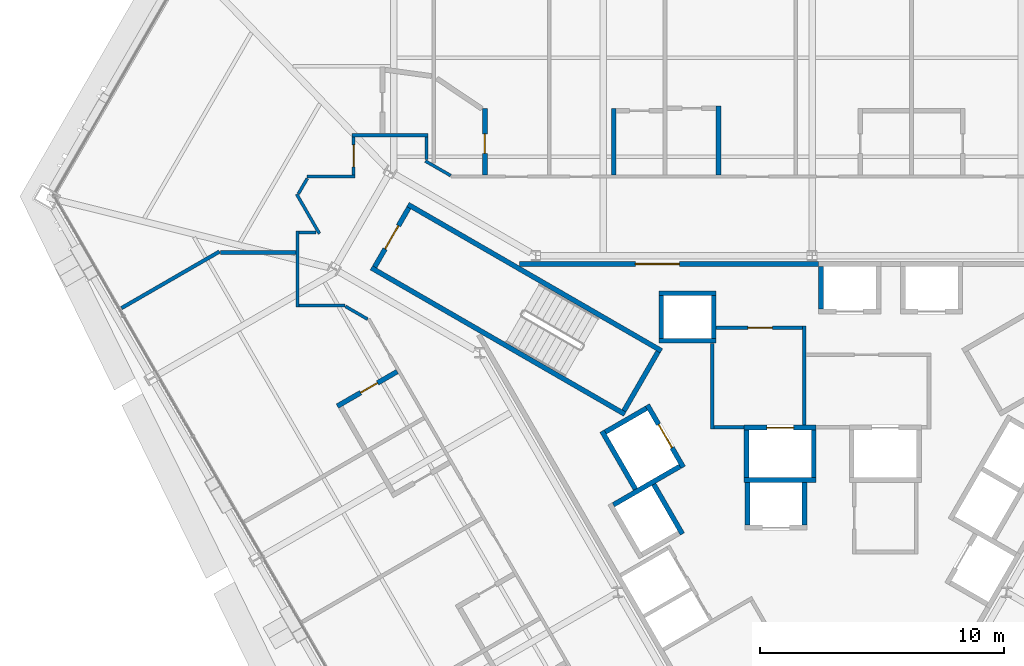
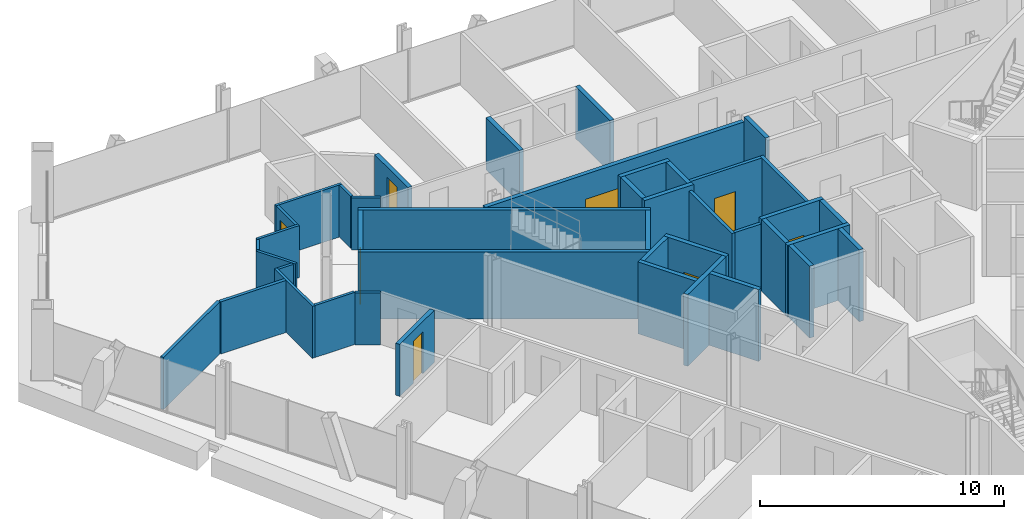
# One storey, part 15 of 20: 42 walls, 8 doors, 8 openings.
"""IFC4 building model written with IfcOpenShell, lengths in metres."""

from ifc_helpers import new_model, si_unit, direction, frame, frame_2d, origin, place, context, subcontext, project, spatial, rectangle, extrude, material, layer, layer_set, type_object, element, fill, save


model = new_model("IFC4")

# Units and contexts
model_context = context("Model", 3, precision=1e-05, world=origin(), true_north=direction((0.0, 1.0)))
body_context = subcontext(model_context, "Body", "Model", "MODEL_VIEW")
ifc_project = project(units=[si_unit("LENGTHUNIT", "METRE"), si_unit("AREAUNIT", "SQUARE_METRE"), si_unit("VOLUMEUNIT", "CUBIC_METRE"), si_unit("PLANEANGLEUNIT", "RADIAN"), si_unit("MASSUNIT", "GRAM", prefix="KILO")], contexts=[model_context])

# Site, building, storey
site_placement = place(None, origin())
site = spatial("IfcSite", under=ifc_project, at=site_placement, CompositionType="ELEMENT")
building_placement = place(site_placement, origin())
building = spatial("IfcBuilding", under=site, at=building_placement, Name="Verrane Prism Tower", CompositionType="ELEMENT")
storey_placement = place(building_placement, frame((0.0, 0.0, 69.199951171875)))
storey = spatial("IfcBuildingStorey", under=building, at=storey_placement, Name="L15", CompositionType="ELEMENT", Elevation=69.199951171875)

# Wall, opening, door
ifc_material_1 = material(Name="Gypsum board partition", Category="other")
ifc_layer_1 = layer(ifc_material_1, 0.199951171875)
ifc_layer_set_1 = layer_set([ifc_layer_1], Name="CW-200 core boundary wall 2 h")
wall_type_1 = type_object("IfcWallType", Name="CW-200 core boundary wall 2 h", PredefinedType="PARTITIONING", material=ifc_layer_set_1)
wall_1_placement = place(storey_placement, frame((0.262939453125, 8.860107421875, 0.0), z_axis=(0.0, 0.0, 1.0), x_axis=(-1.0, 0.0, 0.0)))
wall_1 = element("IfcWall", 1, at=wall_1_placement, inside=storey, type_object=wall_type_1, Name="Core boundary wall CW3-002", PredefinedType="PARTITIONING", context=body_context, shape_type="SweptSolid", body=[
    extrude(rectangle(XDim=12.25390625, YDim=0.199951171875, at=frame_2d((6.126953125, 0.0))), origin(), (0.0, 0.0, 1.0), 3.35009765625),
])
opening_1_placement = place(wall_1_placement, frame((5.708984375, 0.0, 0.0)))
opening_1 = element("IfcOpeningElement", 2, at=opening_1_placement, cuts=wall_1, Name="Opening D14511", PredefinedType="OPENING", context=body_context, shape_type="SweptSolid", body=[
    extrude(rectangle(XDim=1.800048828125, YDim=2.10009765625, at=frame_2d((0.89990234375, 1.050048828125))), frame((0.0, 0.10986328125, 0.0), z_axis=(0.0, -1.0, 0.0), x_axis=(1.0, 0.0, 0.0)), (0.0, 0.0, 1.0), 0.219970703125),
])
ifc_material_2 = material(Name="Timber veneered door leaf", Category="wood")
door_type_1 = type_object("IfcDoorType", Name="DR-1800x2100 FD60 double leaf lift lobby", OperationType="NOTDEFINED", PredefinedType="DOOR", material=ifc_material_2)
door_1_placement = place(opening_1_placement, origin())
door_1 = element("IfcDoor", 3, at=door_1_placement, inside=storey, type_object=door_type_1, Name="Lift lobby door D14511", OperationType="DOUBLE_DOOR_SINGLE_SWING", OverallHeight=2.10009765625, OverallWidth=1.800048828125, PredefinedType="DOOR", context=body_context, shape_type="SweptSolid", body=[
    extrude(rectangle(XDim=1.800048828125, YDim=2.10009765625, at=frame_2d((0.89990234375, 1.050048828125))), frame((0.0, 0.02490234375, 0.0), z_axis=(0.0, -1.0, 0.0), x_axis=(1.0, 0.0, 0.0)), (0.0, 0.0, 1.0), 0.050048828125),
])
fill(opening_1, door_1)

ifc_material_3 = material(Name="Concrete C40/50", Category="concrete")
ifc_layer_2 = layer(ifc_material_3, 0.199951171875)
ifc_layer_set_2 = layer_set([ifc_layer_2], Name="CW-200 stair core wall concrete C40/50 3 h")
wall_type_2 = type_object("IfcWallType", Name="CW-200 stair core wall concrete C40/50 3 h", PredefinedType="PARTITIONING", material=ifc_layer_set_2)
wall_2_placement = place(storey_placement, frame((-16.533935546875, 11.162353515625, 0.0), z_axis=(0.0, 0.0, 1.0), x_axis=(-0.49998411664, -0.866034573852, 0.0)))
wall_2 = element("IfcWall", 4, at=wall_2_placement, inside=storey, type_object=wall_type_2, Name="Stair 2 enclosure wall", PredefinedType="PARTITIONING", context=body_context, shape_type="SweptSolid", body=[
    extrude(rectangle(XDim=2.7998046875, YDim=0.199951171875, at=frame_2d((1.39990234375, 0.0))), origin(), (0.0, 0.0, 1.0), 3.35009765625),
])
opening_2_placement = place(wall_2_placement, frame((0.849853515625, 0.0, 0.0)))
opening_2 = element("IfcOpeningElement", 5, at=opening_2_placement, cuts=wall_2, Name="Opening D14501", PredefinedType="OPENING", context=body_context, shape_type="SweptSolid", body=[
    extrude(rectangle(XDim=1.10009765625, YDim=2.10009765625, at=frame_2d((0.550048828125, 1.050048828125))), frame((0.0, 0.10986328125, 0.0), z_axis=(0.0, -1.0, 0.0), x_axis=(1.0, 0.0, 0.0)), (0.0, 0.0, 1.0), 0.219970703125),
])
ifc_material_4 = material(Name="Timber veneered door leaf", Category="wood")
door_type_2 = type_object("IfcDoorType", Name="DR-1100x2100 FD90 single leaf stair", OperationType="NOTDEFINED", PredefinedType="DOOR", material=ifc_material_4)
door_2_placement = place(opening_2_placement, origin())
door_2 = element("IfcDoor", 6, at=door_2_placement, inside=storey, type_object=door_type_2, Name="Stair 2 door", OperationType="SINGLE_SWING_RIGHT", OverallHeight=2.10009765625, OverallWidth=1.10009765625, PredefinedType="DOOR", context=body_context, shape_type="SweptSolid", body=[
    extrude(rectangle(XDim=1.10009765625, YDim=2.10009765625, at=frame_2d((0.550048828125, 1.050048828125))), frame((0.0, 0.02490234375, 0.0), z_axis=(0.0, -1.0, 0.0), x_axis=(1.0, 0.0, 0.0)), (0.0, 0.0, 1.0), 0.050048828125),
])
fill(opening_2, door_2)

# Walls
for number, where, z_axis, x_axis, name in (
    (7, (-7.67822265625, 2.700927734375, 0.0), (0.0, 0.0, 1.0), (-0.866026010844, 0.49999894854, 0.0), "Stair 2 enclosure wall"),
    (8, (-6.17822265625, 5.299072265625, 0.0), (0.0, 0.0, 1.0), (-0.866026010844, 0.49999894854, 0.0), "Stair 2 enclosure wall"),
):
    element("IfcWall", number, at=place(storey_placement, frame(where, z_axis=z_axis, x_axis=x_axis)), inside=storey, type_object=wall_type_2, Name=name, PredefinedType="PARTITIONING", context=body_context, shape_type="SweptSolid", body=[
        extrude(rectangle(XDim=12.0, YDim=0.199951171875, at=frame_2d((6.0, 0.0))), origin(), (0.0, 0.0, 1.0), 3.35009765625),
    ])
wall_3_placement = place(storey_placement, frame((-6.314697265625, 5.262451171875, 0.0), z_axis=(0.0, 0.0, 1.0), x_axis=(-0.500049511043, -0.865996816683, 0.0)))
element("IfcWall", 9, at=wall_3_placement, inside=storey, type_object=wall_type_2, Name="Stair 2 enclosure wall", PredefinedType="PARTITIONING", context=body_context, shape_type="SweptSolid", body=[
    extrude(rectangle(XDim=2.800048828125, YDim=0.199951171875, at=frame_2d((1.39990234375, 0.0))), origin(), (0.0, 0.0, 1.0), 3.35009765625),
])
ifc_material_5 = material(Name="Gypsum board shaft wall assembly", Category="other")
ifc_layer_3 = layer(ifc_material_5, 0.199951171875)
ifc_layer_set_3 = layer_set([ifc_layer_3], Name="HW-200 lift shaft wall 2 h")
wall_type_3 = type_object("IfcWallType", Name="HW-200 lift shaft wall 2 h", PredefinedType="PARTITIONING", material=ifc_layer_set_3)
wall_4_placement = place(storey_placement, frame((-2.784912109375, 0.0, 0.0), z_axis=(0.0, 0.0, 1.0), x_axis=(1.0, 0.0, 0.0)))
element("IfcWall", 10, at=wall_4_placement, inside=storey, type_object=wall_type_3, Name="Lift shaft wall", PredefinedType="PARTITIONING", context=body_context, shape_type="SweptSolid", body=[
    extrude(rectangle(XDim=2.949951171875, YDim=0.199951171875, at=frame_2d((1.47509765625, 0.0))), origin(), (0.0, 0.0, 1.0), 3.60009765625),
])

# Wall, opening, door
wall_5_placement = place(storey_placement, frame((-2.784912109375, 2.14990234375, 0.0), z_axis=(0.0, 0.0, 1.0), x_axis=(1.0, 0.0, 0.0)))
wall_5 = element("IfcWall", 11, at=wall_5_placement, inside=storey, type_object=wall_type_3, Name="Lift shaft wall", PredefinedType="PARTITIONING", context=body_context, shape_type="SweptSolid", body=[
    extrude(rectangle(XDim=2.949951171875, YDim=0.199951171875, at=frame_2d((1.47509765625, 0.0))), origin(), (0.0, 0.0, 1.0), 3.60009765625),
])
opening_3_placement = place(wall_5_placement, frame((0.925048828125, 0.0, 0.0)))
opening_3 = element("IfcOpeningElement", 12, at=opening_3_placement, cuts=wall_5, Name="Opening D14508", PredefinedType="OPENING", context=body_context, shape_type="SweptSolid", body=[
    extrude(rectangle(XDim=1.10009765625, YDim=2.10009765625, at=frame_2d((0.550048828125, 1.050048828125))), frame((0.0, 0.10986328125, 0.0), z_axis=(0.0, -1.0, 0.0), x_axis=(1.0, 0.0, 0.0)), (0.0, 0.0, 1.0), 0.219970703125),
])
ifc_material_6 = material(Name="Stainless steel sliding landing door", Category="steel")
door_type_3 = type_object("IfcDoorType", Name="LD-1100x2100 lift landing door FD90 sliding", OperationType="NOTDEFINED", PredefinedType="DOOR", material=ifc_material_6)
door_3_placement = place(opening_3_placement, origin())
door_3 = element("IfcDoor", 13, at=door_3_placement, inside=storey, type_object=door_type_3, Name="Fire service lift 1 landing door", OperationType="SLIDING_TO_LEFT", OverallHeight=2.10009765625, OverallWidth=1.10009765625, PredefinedType="DOOR", context=body_context, shape_type="SweptSolid", body=[
    extrude(rectangle(XDim=1.10009765625, YDim=2.10009765625, at=frame_2d((0.550048828125, 1.050048828125))), frame((0.0, 0.02490234375, 0.0), z_axis=(0.0, -1.0, 0.0), x_axis=(1.0, 0.0, 0.0)), (0.0, 0.0, 1.0), 0.050048828125),
])
fill(opening_3, door_3)

# Walls
for number, where, z_axis, x_axis, name in (
    (14, (-6.284912109375, 5.7099609375, 0.0), (0.0, 0.0, 1.0), (1.0, 0.0, 0.0), "Lift shaft wall"),
    (15, (-6.284912109375, 7.659912109375, 0.0), (0.0, 0.0, 1.0), (1.0, 0.0, 0.0), "Lift shaft wall"),
):
    element("IfcWall", number, at=place(storey_placement, frame(where, z_axis=z_axis, x_axis=x_axis)), inside=storey, type_object=wall_type_3, Name=name, PredefinedType="PARTITIONING", context=body_context, shape_type="SweptSolid", body=[
        extrude(rectangle(XDim=2.349853515625, YDim=0.199951171875, at=frame_2d((1.1748046875, 0.0))), origin(), (0.0, 0.0, 1.0), 3.60009765625),
    ])
wall_6_placement = place(storey_placement, frame((-8.14453125, -1.012939453125, 0.0), z_axis=(0.0, 0.0, 1.0), x_axis=(0.866016494683, 0.500015430699, 0.0)))
element("IfcWall", 16, at=wall_6_placement, inside=storey, type_object=wall_type_3, Name="Lift shaft wall", PredefinedType="PARTITIONING", context=body_context, shape_type="SweptSolid", body=[
    extrude(rectangle(XDim=3.14990234375, YDim=0.199951171875, at=frame_2d((1.574951171875, 0.0))), origin(), (0.0, 0.0, 1.0), 3.60009765625),
])
wall_7_placement = place(storey_placement, frame((-8.48046875, 1.968505859375, 0.0), z_axis=(0.0, 0.0, 1.0), x_axis=(0.866000020948, 0.500043961785, 0.0)))
element("IfcWall", 17, at=wall_7_placement, inside=storey, type_object=wall_type_3, Name="Lift shaft wall", PredefinedType="PARTITIONING", context=body_context, shape_type="SweptSolid", body=[
    extrude(rectangle(XDim=1.949951171875, YDim=0.199951171875, at=frame_2d((0.97509765625, 0.0))), origin(), (0.0, 0.0, 1.0), 3.60009765625),
])
wall_8_placement = place(storey_placement, frame((0.364990234375, 7.010009765625, 0.0), z_axis=(0.0, 0.0, 1.0), x_axis=(0.0, 1.0, 0.0)))
element("IfcWall", 18, at=wall_8_placement, inside=storey, type_object=wall_type_3, Name="Lift shaft wall", PredefinedType="PARTITIONING", context=body_context, shape_type="SweptSolid", body=[
    extrude(rectangle(XDim=1.75, YDim=0.199951171875, at=frame_2d((0.875, 0.0))), origin(), (0.0, 0.0, 1.0), 3.60009765625),
])
wall_9_placement = place(storey_placement, frame((0.06494140625, 0.10009765625, 0.0), z_axis=(0.0, 0.0, 1.0), x_axis=(0.0, 1.0, 0.0)))
element("IfcWall", 19, at=wall_9_placement, inside=storey, type_object=wall_type_3, Name="Lift shaft wall", PredefinedType="PARTITIONING", context=body_context, shape_type="SweptSolid", body=[
    extrude(rectangle(XDim=1.949951171875, YDim=0.199951171875, at=frame_2d((0.97509765625, 0.0))), origin(), (0.0, 0.0, 1.0), 3.60009765625),
])
for number, where, z_axis, x_axis, name in (
    (20, (-0.304931640625, -1.85009765625, 0.0), (0.0, 0.0, 1.0), (0.0, 1.0, 0.0), "Lift shaft wall"),
    (21, (-2.655029296875, -1.85009765625, 0.0), (0.0, 0.0, 1.0), (0.0, 1.0, 0.0), "Lift shaft wall"),
):
    element("IfcWall", number, at=place(storey_placement, frame(where, z_axis=z_axis, x_axis=x_axis)), inside=storey, type_object=wall_type_3, Name=name, PredefinedType="PARTITIONING", context=body_context, shape_type="SweptSolid", body=[
        extrude(rectangle(XDim=1.75, YDim=0.199951171875, at=frame_2d((0.875, 0.0))), origin(), (0.0, 0.0, 1.0), 3.60009765625),
    ])
wall_10_placement = place(storey_placement, frame((-2.68505859375, 0.10009765625, 0.0), z_axis=(0.0, 0.0, 1.0), x_axis=(0.0, 1.0, 0.0)))
element("IfcWall", 22, at=wall_10_placement, inside=storey, type_object=wall_type_3, Name="Lift shaft wall", PredefinedType="PARTITIONING", context=body_context, shape_type="SweptSolid", body=[
    extrude(rectangle(XDim=1.949951171875, YDim=0.199951171875, at=frame_2d((0.97509765625, 0.0))), origin(), (0.0, 0.0, 1.0), 3.60009765625),
])
for number, where, z_axis, x_axis, name in (
    (23, (-4.034912109375, 5.81005859375, 0.0), (0.0, 0.0, 1.0), (0.0, 1.0, 0.0), "Lift shaft wall"),
    (24, (-6.18505859375, 5.81005859375, 0.0), (0.0, 0.0, 1.0), (0.0, 1.0, 0.0), "Lift shaft wall"),
):
    element("IfcWall", number, at=place(storey_placement, frame(where, z_axis=z_axis, x_axis=x_axis)), inside=storey, type_object=wall_type_3, Name=name, PredefinedType="PARTITIONING", context=body_context, shape_type="SweptSolid", body=[
        extrude(rectangle(XDim=1.75, YDim=0.199951171875, at=frame_2d((0.875, 0.0))), origin(), (0.0, 0.0, 1.0), 3.60009765625),
    ])

# Wall, opening, door
wall_11_placement = place(storey_placement, frame((-5.280029296875, 0.525390625, 0.0), z_axis=(0.0, 0.0, 1.0), x_axis=(-0.500037662692, 0.866003658127, 0.0)))
wall_11 = element("IfcWall", 25, at=wall_11_placement, inside=storey, type_object=wall_type_3, Name="Lift shaft wall", PredefinedType="PARTITIONING", context=body_context, shape_type="SweptSolid", body=[
    extrude(rectangle(XDim=2.949951171875, YDim=0.199951171875, at=frame_2d((1.47509765625, 0.0))), origin(), (0.0, 0.0, 1.0), 3.60009765625),
])
opening_4_placement = place(wall_11_placement, frame((0.925048828125, 0.0, 0.0)))
opening_4 = element("IfcOpeningElement", 26, at=opening_4_placement, cuts=wall_11, Name="Opening D14510", PredefinedType="OPENING", context=body_context, shape_type="SweptSolid", body=[
    extrude(rectangle(XDim=1.10009765625, YDim=2.10009765625, at=frame_2d((0.550048828125, 1.050048828125))), frame((0.0, 0.10986328125, 0.0), z_axis=(0.0, -1.0, 0.0), x_axis=(1.0, 0.0, 0.0)), (0.0, 0.0, 1.0), 0.219970703125),
])
door_4_placement = place(opening_4_placement, origin())
door_4 = element("IfcDoor", 27, at=door_4_placement, inside=storey, type_object=door_type_3, Name="Service lift 1 landing door", OperationType="SLIDING_TO_LEFT", OverallHeight=2.10009765625, OverallWidth=1.10009765625, PredefinedType="DOOR", context=body_context, shape_type="SweptSolid", body=[
    extrude(rectangle(XDim=1.10009765625, YDim=2.10009765625, at=frame_2d((0.550048828125, 1.050048828125))), frame((0.0, 0.02490234375, 0.0), z_axis=(0.0, -1.0, 0.0), x_axis=(1.0, 0.0, 0.0)), (0.0, 0.0, 1.0), 0.050048828125),
])
fill(opening_4, door_4)

# Walls
wall_12_placement = place(storey_placement, frame((-5.317626953125, -2.209716796875, 0.0), z_axis=(0.0, 0.0, 1.0), x_axis=(-0.499938297808, 0.866061024631, 0.0)))
element("IfcWall", 28, at=wall_12_placement, inside=storey, type_object=wall_type_3, Name="Lift shaft wall", PredefinedType="PARTITIONING", context=body_context, shape_type="SweptSolid", body=[
    extrude(rectangle(XDim=2.349853515625, YDim=0.199951171875, at=frame_2d((1.1748046875, 0.0))), origin(), (0.0, 0.0, 1.0), 3.60009765625),
])
wall_13_placement = place(storey_placement, frame((-7.241943359375, -0.37646484375, 0.0), z_axis=(0.0, 0.0, 1.0), x_axis=(-0.499996545922, 0.866027397988, 0.0)))
element("IfcWall", 29, at=wall_13_placement, inside=storey, type_object=wall_type_3, Name="Lift shaft wall", PredefinedType="PARTITIONING", context=body_context, shape_type="SweptSolid", body=[
    extrude(rectangle(XDim=2.75, YDim=0.199951171875, at=frame_2d((1.375, 0.0))), origin(), (0.0, 0.0, 1.0), 3.60009765625),
])
ifc_material_7 = material(Name="Gypsum board partition", Category="other")
ifc_layer_4 = layer(ifc_material_7, 0.14990234375)
ifc_layer_set_4 = layer_set([ifc_layer_4], Name="LF-150 firefighting lobby wall 1 h")
wall_type_4 = type_object("IfcWallType", Name="LF-150 firefighting lobby wall 1 h", PredefinedType="PARTITIONING", material=ifc_layer_set_4)
wall_14_placement = place(storey_placement, frame((-4.10009765625, 2.0849609375, 0.0), z_axis=(0.0, 0.0, 1.0), x_axis=(0.0, 1.0, 0.0)))
element("IfcWall", 30, at=wall_14_placement, inside=storey, type_object=wall_type_4, Name="Firefighting lobby wall LF1-001", PredefinedType="PARTITIONING", context=body_context, shape_type="SweptSolid", body=[
    extrude(rectangle(XDim=3.52294921875, YDim=0.14990234375, at=frame_2d((1.761474609375, 0.0))), origin(), (0.0, 0.0, 1.0), 3.35009765625),
])
wall_15_placement = place(storey_placement, frame((-4.02490234375, 2.159912109375, 0.0), z_axis=(0.0, 0.0, 1.0), x_axis=(1.0, 0.0, 0.0)))
element("IfcWall", 31, at=wall_15_placement, inside=storey, type_object=wall_type_4, Name="Firefighting lobby wall LF1-002", PredefinedType="PARTITIONING", context=body_context, shape_type="SweptSolid", body=[
    extrude(rectangle(XDim=1.23779296875, YDim=0.14990234375, at=frame_2d((0.618896484375, 0.0))), origin(), (0.0, 0.0, 1.0), 3.35009765625),
])

# Wall, opening, door
wall_16_placement = place(storey_placement, frame((-3.93310546875, 6.239990234375, 0.0), z_axis=(0.0, 0.0, 1.0), x_axis=(1.0, 0.0, 0.0)))
wall_16 = element("IfcWall", 32, at=wall_16_placement, inside=storey, type_object=wall_type_4, Name="Firefighting lobby wall LF1-003", PredefinedType="PARTITIONING", context=body_context, shape_type="SweptSolid", body=[
    extrude(rectangle(XDim=3.5380859375, YDim=0.14990234375, at=frame_2d((1.76904296875, 0.0))), origin(), (0.0, 0.0, 1.0), 3.35009765625),
])
opening_5_placement = place(wall_16_placement, frame((1.300048828125, 0.0, 0.0)))
opening_5 = element("IfcOpeningElement", 33, at=opening_5_placement, cuts=wall_16, Name="Opening D14515", PredefinedType="OPENING", context=body_context, shape_type="SweptSolid", body=[
    extrude(rectangle(XDim=1.0, YDim=2.10009765625, at=frame_2d((0.5, 1.050048828125))), frame((0.0, 0.0849609375, 0.0), z_axis=(0.0, -1.0, 0.0), x_axis=(1.0, 0.0, 0.0)), (0.0, 0.0, 1.0), 0.169921875),
])
ifc_material_8 = material(Name="Timber veneered door leaf", Category="wood")
door_type_4 = type_object("IfcDoorType", Name="DR-1000x2100 FD60 single leaf firefighting lobby", OperationType="NOTDEFINED", PredefinedType="DOOR", material=ifc_material_8)
door_5_placement = place(opening_5_placement, origin())
door_5 = element("IfcDoor", 34, at=door_5_placement, inside=storey, type_object=door_type_4, Name="Firefighting lobby door D14515", OperationType="SINGLE_SWING_LEFT", OverallHeight=2.10009765625, OverallWidth=1.0, PredefinedType="DOOR", context=body_context, shape_type="SweptSolid", body=[
    extrude(rectangle(XDim=1.0, YDim=2.10009765625, at=frame_2d((0.5, 1.050048828125))), frame((0.0, 0.02490234375, 0.0), z_axis=(0.0, -1.0, 0.0), x_axis=(1.0, 0.0, 0.0)), (0.0, 0.0, 1.0), 0.050048828125),
])
fill(opening_5, door_5)

# Walls
wall_17_placement = place(storey_placement, frame((-0.320068359375, 2.251953125, 0.0), z_axis=(0.0, 0.0, 1.0), x_axis=(0.0, 1.0, 0.0)))
element("IfcWall", 35, at=wall_17_placement, inside=storey, type_object=wall_type_4, Name="Firefighting lobby wall LF1-004", PredefinedType="PARTITIONING", context=body_context, shape_type="SweptSolid", body=[
    extrude(rectangle(XDim=4.06298828125, YDim=0.14990234375, at=frame_2d((2.031494140625, 0.0))), origin(), (0.0, 0.0, 1.0), 3.35009765625),
])
ifc_material_9 = material(Name="Gypsum board partition", Category="other")
ifc_layer_5 = layer(ifc_material_9, 0.125)
ifc_layer_set_5 = layer_set([ifc_layer_5], Name="PW-125 corridor wall 1 h")
wall_type_5 = type_object("IfcWallType", Name="PW-125 corridor wall 1 h", PredefinedType="PARTITIONING", material=ifc_layer_set_5)
wall_18_placement = place(storey_placement, frame((-21.05859375, 11.74072265625, 0.0), z_axis=(0.0, 0.0, 1.0), x_axis=(0.500238258503, 0.865887801468, 0.0)))
element("IfcWall", 36, at=wall_18_placement, inside=storey, type_object=wall_type_5, Name="Corridor wall 004", PredefinedType="PARTITIONING", context=body_context, shape_type="SweptSolid", body=[
    extrude(rectangle(XDim=0.723876953125, YDim=0.125, at=frame_2d((0.36181640625, 0.0))), origin(), (0.0, 0.0, 1.0), 2.613037109375),
])
wall_19_placement = place(storey_placement, frame((-21.13232421875, 11.72119140625, 0.0), z_axis=(0.0, 0.0, 1.0), x_axis=(0.500072997275, -0.865983254686, 0.0)))
element("IfcWall", 37, at=wall_19_placement, inside=storey, type_object=wall_type_5, Name="Corridor wall 005", PredefinedType="PARTITIONING", context=body_context, shape_type="SweptSolid", body=[
    extrude(rectangle(XDim=1.868896484375, YDim=0.125, at=frame_2d((0.9345703125, 0.0))), origin(), (0.0, 0.0, 1.0), 2.613037109375),
])
wall_20_placement = place(storey_placement, frame((-21.096923828125, 7.1005859375, 0.0), z_axis=(0.0, 0.0, 1.0), x_axis=(0.0, 1.0, 0.0)))
element("IfcWall", 38, at=wall_20_placement, inside=storey, type_object=wall_type_5, Name="Corridor wall 006", PredefinedType="PARTITIONING", context=body_context, shape_type="SweptSolid", body=[
    extrude(rectangle(XDim=3.118896484375, YDim=0.125, at=frame_2d((1.5595703125, 0.0))), origin(), (0.0, 0.0, 1.0), 2.613037109375),
])
wall_21_placement = place(storey_placement, frame((-21.031982421875, 7.1630859375, 0.0), z_axis=(0.0, 0.0, 1.0), x_axis=(1.0, 0.0, 0.0)))
element("IfcWall", 39, at=wall_21_placement, inside=storey, type_object=wall_type_5, Name="Corridor wall 007", PredefinedType="PARTITIONING", context=body_context, shape_type="SweptSolid", body=[
    extrude(rectangle(XDim=1.888427734375, YDim=0.125, at=frame_2d((0.9443359375, 0.0))), origin(), (0.0, 0.0, 1.0), 2.613037109375),
])
wall_22_placement = place(storey_placement, frame((-21.031982421875, 10.156982421875, 0.0), z_axis=(0.0, 0.0, 1.0), x_axis=(1.0, 0.0, 0.0)))
element("IfcWall", 40, at=wall_22_placement, inside=storey, type_object=wall_type_5, Name="Corridor wall 008", PredefinedType="PARTITIONING", context=body_context, shape_type="SweptSolid", body=[
    extrude(rectangle(XDim=0.697998046875, YDim=0.125, at=frame_2d((0.34912109375, 0.0))), origin(), (0.0, 0.0, 1.0), 2.613037109375),
])
wall_23_placement = place(storey_placement, frame((-20.716552734375, 12.44091796875, 0.0), z_axis=(0.0, 0.0, 1.0), x_axis=(1.0, 0.0, 0.0)))
element("IfcWall", 41, at=wall_23_placement, inside=storey, type_object=wall_type_5, Name="Corridor wall 010", PredefinedType="PARTITIONING", context=body_context, shape_type="SweptSolid", body=[
    extrude(rectangle(XDim=1.98193359375, YDim=0.125, at=frame_2d((0.990966796875, 0.0))), origin(), (0.0, 0.0, 1.0), 2.613037109375),
])
wall_24_placement = place(storey_placement, frame((-19.13232421875, 7.12060546875, 0.0), z_axis=(0.0, 0.0, 1.0), x_axis=(0.865876245925, -0.500258260045, 0.0)))
element("IfcWall", 42, at=wall_24_placement, inside=storey, type_object=wall_type_5, Name="Corridor wall 013", PredefinedType="PARTITIONING", context=body_context, shape_type="SweptSolid", body=[
    extrude(rectangle(XDim=1.0517578125, YDim=0.125, at=frame_2d((0.52587890625, 0.0))), origin(), (0.0, 0.0, 1.0), 2.613037109375),
])

# Wall, opening, door
wall_25_placement = place(storey_placement, frame((-18.797119140625, 12.506103515625, 0.0), z_axis=(0.0, 0.0, 1.0), x_axis=(0.0, 1.0, 0.0)))
wall_25 = element("IfcWall", 43, at=wall_25_placement, inside=storey, type_object=wall_type_5, Name="Corridor wall 014", PredefinedType="PARTITIONING", context=body_context, shape_type="SweptSolid", body=[
    extrude(rectangle(XDim=1.56591796875, YDim=0.125, at=frame_2d((0.782958984375, 0.0))), origin(), (0.0, 0.0, 1.0), 2.613037109375),
])
opening_6_placement = place(wall_25_placement, frame((0.3349609375, 0.0, 0.0)))
opening_6 = element("IfcOpeningElement", 44, at=opening_6_placement, cuts=wall_25, Name="Opening D14030", PredefinedType="OPENING", context=body_context, shape_type="SweptSolid", body=[
    extrude(rectangle(XDim=0.89990234375, YDim=2.10009765625, at=frame_2d((0.449951171875, 1.050048828125))), frame((0.0, 0.072509765625, 0.0), z_axis=(0.0, -1.0, 0.0), x_axis=(1.0, 0.0, 0.0)), (0.0, 0.0, 1.0), 0.14501953125),
])
ifc_material_10 = material(Name="Timber veneered door leaf", Category="wood")
door_type_5 = type_object("IfcDoorType", Name="DR-900x2100 FD20 single leaf unit", OperationType="NOTDEFINED", PredefinedType="DOOR", material=ifc_material_10)
door_6_placement = place(opening_6_placement, origin())
door_6 = element("IfcDoor", 45, at=door_6_placement, inside=storey, type_object=door_type_5, Name="Corner Suite door", OperationType="SINGLE_SWING_RIGHT", OverallHeight=2.10009765625, OverallWidth=0.89990234375, PredefinedType="DOOR", context=body_context, shape_type="SweptSolid", body=[
    extrude(rectangle(XDim=0.89990234375, YDim=2.10009765625, at=frame_2d((0.449951171875, 1.050048828125))), frame((0.0, 0.02490234375, 0.0), z_axis=(0.0, -1.0, 0.0), x_axis=(1.0, 0.0, 0.0)), (0.0, 0.0, 1.0), 0.050048828125),
])
fill(opening_6, door_6)

# Walls
wall_26_placement = place(storey_placement, frame((-18.859619140625, 14.136962890625, 0.0), z_axis=(0.0, 0.0, 1.0), x_axis=(1.0, 0.0, 0.0)))
element("IfcWall", 46, at=wall_26_placement, inside=storey, type_object=wall_type_5, Name="Corridor wall 015", PredefinedType="PARTITIONING", context=body_context, shape_type="SweptSolid", body=[
    extrude(rectangle(XDim=3.119140625, YDim=0.125, at=frame_2d((1.5595703125, 0.0))), origin(), (0.0, 0.0, 1.0), 2.613037109375),
])
wall_27_placement = place(storey_placement, frame((-15.802978515625, 13.135009765625, 0.0), z_axis=(0.0, 0.0, 1.0), x_axis=(0.0, 1.0, 0.0)))
element("IfcWall", 47, at=wall_27_placement, inside=storey, type_object=wall_type_5, Name="Corridor wall 023", PredefinedType="PARTITIONING", context=body_context, shape_type="SweptSolid", body=[
    extrude(rectangle(XDim=0.93701171875, YDim=0.125, at=frame_2d((0.468505859375, 0.0))), origin(), (0.0, 0.0, 1.0), 2.613037109375),
])
wall_28_placement = place(storey_placement, frame((-15.857177734375, 13.081298828125, 0.0), z_axis=(0.0, 0.0, 1.0), x_axis=(0.866035997947, -0.499981649923, 0.0)))
element("IfcWall", 48, at=wall_28_placement, inside=storey, type_object=wall_type_5, Name="Corridor wall 024", PredefinedType="PARTITIONING", context=body_context, shape_type="SweptSolid", body=[
    extrude(rectangle(XDim=1.19580078125, YDim=0.125, at=frame_2d((0.597900390625, 0.0))), origin(), (0.0, 0.0, 1.0), 2.613037109375),
])
ifc_material_11 = material(Name="Gypsum board partition", Category="other")
ifc_layer_6 = layer(ifc_material_11, 0.14990234375)
ifc_layer_set_6 = layer_set([ifc_layer_6], Name="PW-150 demising wall 1 h")
wall_type_6 = type_object("IfcWallType", Name="PW-150 demising wall 1 h", PredefinedType="PARTITIONING", material=ifc_layer_set_6)
wall_29_placement = place(storey_placement, frame((-28.312744140625, 7.050048828125, 0.0), z_axis=(0.0, 0.0, 1.0), x_axis=(0.866076865069, 0.499910855846, 0.0)))
element("IfcWall", 49, at=wall_29_placement, inside=storey, type_object=wall_type_6, Name="Demising wall 001", PredefinedType="PARTITIONING", context=body_context, shape_type="SweptSolid", body=[
    extrude(rectangle(XDim=4.636474609375, YDim=0.14990234375, at=frame_2d((2.318359375, 0.0))), origin(), (0.0, 0.0, 1.0), 2.613037109375),
])
wall_30_placement = place(storey_placement, frame((-24.261962890625, 9.3291015625, 0.0), z_axis=(0.0, 0.0, 1.0), x_axis=(1.0, 0.0, 0.0)))
element("IfcWall", 50, at=wall_30_placement, inside=storey, type_object=wall_type_6, Name="Demising wall 002", PredefinedType="PARTITIONING", context=body_context, shape_type="SweptSolid", body=[
    extrude(rectangle(XDim=3.1025390625, YDim=0.14990234375, at=frame_2d((1.55126953125, 0.0))), origin(), (0.0, 0.0, 1.0), 2.613037109375),
])

# Wall, opening, door
ifc_material_12 = material(Name="Gypsum board partition", Category="other")
ifc_layer_7 = layer(ifc_material_12, 0.199951171875)
ifc_layer_set_7 = layer_set([ifc_layer_7], Name="PW-200 plumbing wall")
wall_type_7 = type_object("IfcWallType", Name="PW-200 plumbing wall", PredefinedType="PARTITIONING", material=ifc_layer_set_7)
wall_31_placement = place(storey_placement, frame((-17.010498046875, 4.447265625, 0.0), z_axis=(0.0, 0.0, 1.0), x_axis=(-0.866033446572, -0.499986069224, 0.0)))
wall_31 = element("IfcWall", 51, at=wall_31_placement, inside=storey, type_object=wall_type_7, Name="Plumbing wall 012", PredefinedType="PARTITIONING", context=body_context, shape_type="SweptSolid", body=[
    extrude(rectangle(XDim=2.83251953125, YDim=0.199951171875, at=frame_2d((1.416259765625, 0.0))), origin(), (0.0, 0.0, 1.0), 2.613037109375),
])
opening_7_placement = place(wall_31_placement, frame((0.9326171875, 0.0, 0.0)))
opening_7 = element("IfcOpeningElement", 52, at=opening_7_placement, cuts=wall_31, Name="Opening D14033", PredefinedType="OPENING", context=body_context, shape_type="SweptSolid", body=[
    extrude(rectangle(XDim=0.800048828125, YDim=2.10009765625, at=frame_2d((0.39990234375, 1.050048828125))), frame((0.0, 0.10986328125, 0.0), z_axis=(0.0, -1.0, 0.0), x_axis=(1.0, 0.0, 0.0)), (0.0, 0.0, 1.0), 0.219970703125),
])
ifc_material_13 = material(Name="Timber veneered door leaf", Category="wood")
door_type_6 = type_object("IfcDoorType", Name="DR-800x2100 single leaf bath", OperationType="NOTDEFINED", PredefinedType="DOOR", material=ifc_material_13)
door_7_placement = place(opening_7_placement, origin())
door_7 = element("IfcDoor", 53, at=door_7_placement, inside=storey, type_object=door_type_6, Name="En-Suite door", OperationType="SINGLE_SWING_RIGHT", OverallHeight=2.10009765625, OverallWidth=0.800048828125, PredefinedType="DOOR", context=body_context, shape_type="SweptSolid", body=[
    extrude(rectangle(XDim=0.800048828125, YDim=2.10009765625, at=frame_2d((0.39990234375, 1.050048828125))), frame((0.0, 0.02490234375, 0.0), z_axis=(0.0, -1.0, 0.0), x_axis=(1.0, 0.0, 0.0)), (0.0, 0.0, 1.0), 0.050048828125),
])
fill(opening_7, door_7)

wall_32_placement = place(storey_placement, frame((-13.4189453125, 12.50341796875, 0.0), z_axis=(0.0, 0.0, 1.0), x_axis=(0.0, 1.0, 0.0)))
wall_32 = element("IfcWall", 54, at=wall_32_placement, inside=storey, type_object=wall_type_7, Name="Plumbing wall 031", PredefinedType="PARTITIONING", context=body_context, shape_type="SweptSolid", body=[
    extrude(rectangle(XDim=2.737548828125, YDim=0.199951171875, at=frame_2d((1.36865234375, 0.0))), origin(), (0.0, 0.0, 1.0), 2.613037109375),
])
opening_8_placement = place(wall_32_placement, frame((0.887451171875, 0.0, 0.0)))
opening_8 = element("IfcOpeningElement", 55, at=opening_8_placement, cuts=wall_32, Name="Opening D14029", PredefinedType="OPENING", context=body_context, shape_type="SweptSolid", body=[
    extrude(rectangle(XDim=0.800048828125, YDim=2.10009765625, at=frame_2d((0.39990234375, 1.050048828125))), frame((0.0, 0.10986328125, 0.0), z_axis=(0.0, -1.0, 0.0), x_axis=(1.0, 0.0, 0.0)), (0.0, 0.0, 1.0), 0.219970703125),
])
door_8_placement = place(opening_8_placement, origin())
door_8 = element("IfcDoor", 56, at=door_8_placement, inside=storey, type_object=door_type_6, Name="En-Suite door", OperationType="SINGLE_SWING_LEFT", OverallHeight=2.10009765625, OverallWidth=0.800048828125, PredefinedType="DOOR", context=body_context, shape_type="SweptSolid", body=[
    extrude(rectangle(XDim=0.800048828125, YDim=2.10009765625, at=frame_2d((0.39990234375, 1.050048828125))), frame((0.0, 0.02490234375, 0.0), z_axis=(0.0, -1.0, 0.0), x_axis=(1.0, 0.0, 0.0)), (0.0, 0.0, 1.0), 0.050048828125),
])
fill(opening_8, door_8)

# Walls
wall_33_placement = place(storey_placement, frame((-8.132080078125, 12.50341796875, 0.0), z_axis=(0.0, 0.0, 1.0), x_axis=(0.0, 1.0, 0.0)))
element("IfcWall", 57, at=wall_33_placement, inside=storey, type_object=wall_type_7, Name="Plumbing wall 038", PredefinedType="PARTITIONING", context=body_context, shape_type="SweptSolid", body=[
    extrude(rectangle(XDim=2.737548828125, YDim=0.199951171875, at=frame_2d((1.36865234375, 0.0))), origin(), (0.0, 0.0, 1.0), 2.613037109375),
])
wall_34_placement = place(storey_placement, frame((-3.83203125, 12.50341796875, 0.0), z_axis=(0.0, 0.0, 1.0), x_axis=(0.0, 1.0, 0.0)))
element("IfcWall", 58, at=wall_34_placement, inside=storey, type_object=wall_type_7, Name="Plumbing wall 044", PredefinedType="PARTITIONING", context=body_context, shape_type="SweptSolid", body=[
    extrude(rectangle(XDim=2.837646484375, YDim=0.199951171875, at=frame_2d((1.4189453125, 0.0))), origin(), (0.0, 0.0, 1.0), 2.613037109375),
])

save(model, "model.ifc")
